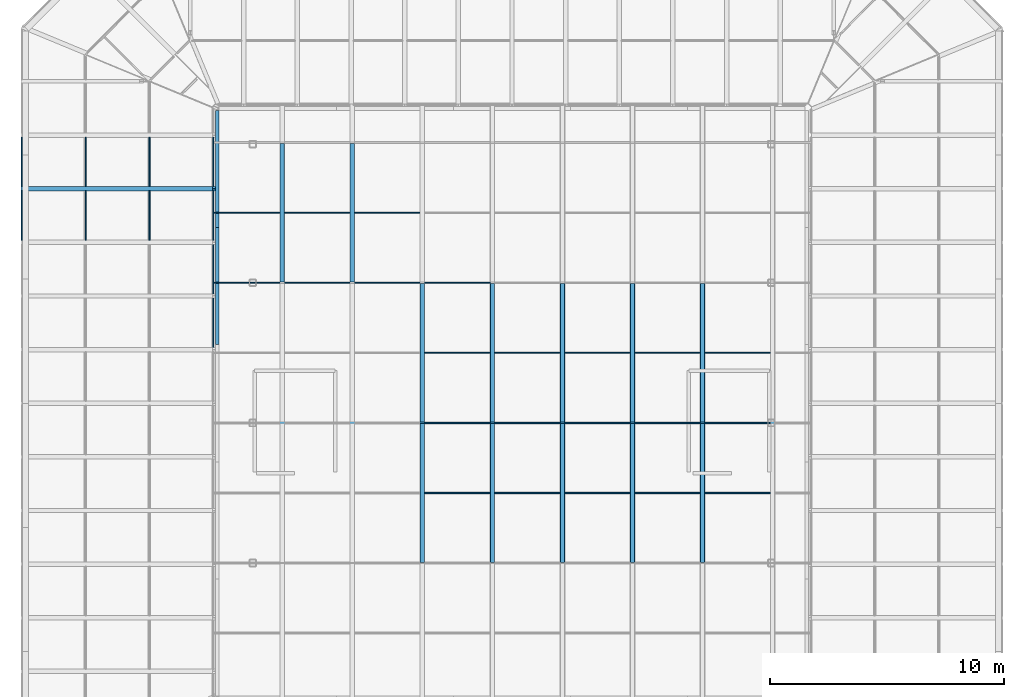
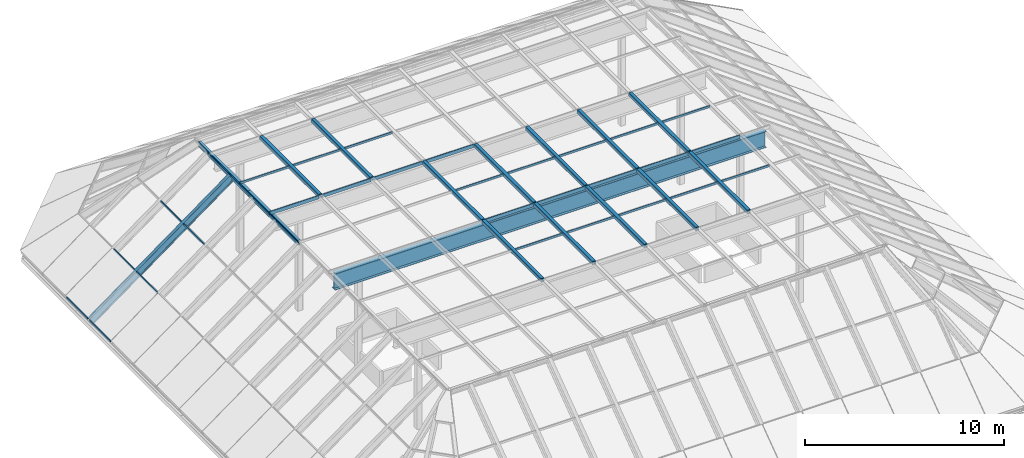
# One storey, part 5 of 15: 60 members, 2 elements without a shape of their own.
"""IFC4 building model written with IfcOpenShell, lengths in metres."""

from ifc_helpers import new_model, si_unit, direction, frame, origin, origin_2d, place, context, subcontext, project, spatial, rectangle, hollow_rectangle, i_section, extrude, material, constituent, constituent_set, material_profile, profile_set, type_object, element, aggregate, save


model = new_model("IFC4")

# Units and contexts
model_context = context("Model", 3, precision=1e-05, world=origin(), true_north=direction((0.0, 1.0)))
body_context = subcontext(model_context, "Body", "Model", "MODEL_VIEW")
ifc_project = project(units=[si_unit("LENGTHUNIT", "METRE"), si_unit("AREAUNIT", "SQUARE_METRE"), si_unit("VOLUMEUNIT", "CUBIC_METRE"), si_unit("PLANEANGLEUNIT", "RADIAN"), si_unit("MASSUNIT", "GRAM", prefix="KILO")], contexts=[model_context])

# Site, building, storey
site_placement = place(None, origin())
site = spatial("IfcSite", under=ifc_project, at=site_placement, CompositionType="ELEMENT")
building_placement = place(site_placement, origin())
building = spatial("IfcBuilding", under=site, at=building_placement, Name="Quoin Convention Tower", CompositionType="ELEMENT")
storey_placement = place(building_placement, frame((0.0, 0.0, 273.699951171875)))
storey = spatial("IfcBuildingStorey", under=building, at=storey_placement, Name="Roof", CompositionType="ELEMENT", Elevation=273.699951171875)

# Member
ifc_material_1 = material(Name="Steel Grade 300", Category="steel")
ifc_material_profile_1 = material_profile(ifc_material_1, i_section(OverallWidth=0.300048828125, OverallDepth=1.0, WebThickness=0.01611328125, FlangeThickness=0.02001953125, at=origin_2d()), Name="1000WB215")
ifc_profile_set_1 = profile_set([ifc_material_profile_1], Name="Steel Grade 300")
member_type_1 = type_object("IfcMemberType", Name="1000WB215 CAP GIRDER", PredefinedType="STRINGER", material=ifc_profile_set_1)
member_1_placement = place(storey_placement, frame((43.7099609375, 59.909912109375, 5.8955078125), z_axis=(1.0, 0.0, 0.0), x_axis=(0.0, 1.0, 0.0)))
element("IfcMember", 1, at=member_1_placement, inside=storey, type_object=member_type_1, Name="LANTERN CAP GIRDER", PredefinedType="STRINGER", context=body_context, shape_type="SweptSolid", body=[
    extrude(i_section(OverallWidth=0.300048828125, OverallDepth=1.0, WebThickness=0.01611328125, FlangeThickness=0.02001953125, at=origin_2d()), origin(), (0.0, 0.0, 1.0), 25.080078125),
])

# Curtain wall, members
ifc_material_2 = material(Name="Aluminium", Category="aluminium")
ifc_constituent_1 = constituent(ifc_material_2, Name="Frame")
ifc_material_3 = material(Name="Insulated glass", Category="glass")
ifc_constituent_2 = constituent(ifc_material_3, Name="Glazing")
ifc_constituent_set = constituent_set(constituents=[ifc_constituent_1, ifc_constituent_2], Name="Aluminium")
curtain_wall_type = type_object("IfcCurtainWallType", Name="Lantern roof system", PredefinedType="NOTDEFINED", material=ifc_constituent_set)
curtain_wall_1_placement = place(storey_placement, origin())
curtain_wall_1 = element("IfcCurtainWall", 2, at=curtain_wall_1_placement, inside=storey, type_object=curtain_wall_type, Name="crn-LNR-CAP", PredefinedType="NOTDEFINED")
ifc_material_4 = material(Name="Steel C450L0", Category="steel")
ifc_material_profile_2 = material_profile(ifc_material_4, hollow_rectangle(XDim=0.199951171875, YDim=0.199951171875, WallThickness=0.010009765625, InnerFilletRadius=0.014892578125, OuterFilletRadius=0.02490234375, at=origin_2d()), Name="200x200x10.0SHS")
ifc_profile_set_2 = profile_set([ifc_material_profile_2], Name="Steel C450L0")
member_type_2 = type_object("IfcMemberType", Name="200x200x10.0SHS LANTERN CAP RAIL", PredefinedType="MULLION", material=ifc_profile_set_2)
member_2_placement = place(storey_placement, frame((46.409912109375, 65.93994140625, 6.495361328125), z_axis=(0.0, 1.0, 0.0), x_axis=(-1.0, 0.0, 0.0)))
member_2 = element("IfcMember", 3, at=member_2_placement, type_object=member_type_2, Name="CW6 cap rail", PredefinedType="MULLION", context=body_context, shape_type="SweptSolid", body=[
    extrude(hollow_rectangle(XDim=0.199951171875, YDim=0.199951171875, WallThickness=0.010009765625, InnerFilletRadius=0.014892578125, OuterFilletRadius=0.02490234375, at=origin_2d()), origin(), (0.0, 0.0, 1.0), 5.93994140625),
])
member_3_placement = place(storey_placement, frame((49.409912109375, 65.93994140625, 6.495361328125), z_axis=(0.0, 1.0, 0.0), x_axis=(-1.0, 0.0, 0.0)))
member_3 = element("IfcMember", 4, at=member_3_placement, type_object=member_type_2, Name="CW6 cap rail", PredefinedType="MULLION", context=body_context, shape_type="SweptSolid", body=[
    extrude(hollow_rectangle(XDim=0.199951171875, YDim=0.199951171875, WallThickness=0.010009765625, InnerFilletRadius=0.014892578125, OuterFilletRadius=0.02490234375, at=origin_2d()), origin(), (0.0, 0.0, 1.0), 5.93994140625),
])
member_4_placement = place(storey_placement, frame((52.409912109375, 53.93994140625, 6.495361328125), z_axis=(0.0, 1.0, 0.0), x_axis=(-1.0, 0.0, 0.0)))
member_4 = element("IfcMember", 5, at=member_4_placement, type_object=member_type_2, Name="CW6 cap rail", PredefinedType="MULLION", context=body_context, shape_type="SweptSolid", body=[
    extrude(hollow_rectangle(XDim=0.199951171875, YDim=0.199951171875, WallThickness=0.010009765625, InnerFilletRadius=0.014892578125, OuterFilletRadius=0.02490234375, at=origin_2d()), origin(), (0.0, 0.0, 1.0), 5.93994140625),
])
member_5_placement = place(storey_placement, frame((52.409912109375, 59.93994140625, 6.495361328125), z_axis=(0.0, 1.0, 0.0), x_axis=(-1.0, 0.0, 0.0)))
member_5 = element("IfcMember", 6, at=member_5_placement, type_object=member_type_2, Name="CW6 cap rail", PredefinedType="MULLION", context=body_context, shape_type="SweptSolid", body=[
    extrude(hollow_rectangle(XDim=0.199951171875, YDim=0.199951171875, WallThickness=0.010009765625, InnerFilletRadius=0.014892578125, OuterFilletRadius=0.02490234375, at=origin_2d()), origin(), (0.0, 0.0, 1.0), 5.93994140625),
])
member_6_placement = place(storey_placement, frame((55.409912109375, 53.93994140625, 6.495361328125), z_axis=(0.0, 1.0, 0.0), x_axis=(-1.0, 0.0, 0.0)))
member_6 = element("IfcMember", 7, at=member_6_placement, type_object=member_type_2, Name="CW6 cap rail", PredefinedType="MULLION", context=body_context, shape_type="SweptSolid", body=[
    extrude(hollow_rectangle(XDim=0.199951171875, YDim=0.199951171875, WallThickness=0.010009765625, InnerFilletRadius=0.014892578125, OuterFilletRadius=0.02490234375, at=origin_2d()), origin(), (0.0, 0.0, 1.0), 5.93994140625),
])
member_7_placement = place(storey_placement, frame((55.409912109375, 59.93994140625, 6.495361328125), z_axis=(0.0, 1.0, 0.0), x_axis=(-1.0, 0.0, 0.0)))
member_7 = element("IfcMember", 8, at=member_7_placement, type_object=member_type_2, Name="CW6 cap rail", PredefinedType="MULLION", context=body_context, shape_type="SweptSolid", body=[
    extrude(hollow_rectangle(XDim=0.199951171875, YDim=0.199951171875, WallThickness=0.010009765625, InnerFilletRadius=0.014892578125, OuterFilletRadius=0.02490234375, at=origin_2d()), origin(), (0.0, 0.0, 1.0), 5.93994140625),
])
member_8_placement = place(storey_placement, frame((58.409912109375, 53.93994140625, 6.495361328125), z_axis=(0.0, 1.0, 0.0), x_axis=(-1.0, 0.0, 0.0)))
member_8 = element("IfcMember", 9, at=member_8_placement, type_object=member_type_2, Name="CW6 cap rail", PredefinedType="MULLION", context=body_context, shape_type="SweptSolid", body=[
    extrude(hollow_rectangle(XDim=0.199951171875, YDim=0.199951171875, WallThickness=0.010009765625, InnerFilletRadius=0.014892578125, OuterFilletRadius=0.02490234375, at=origin_2d()), origin(), (0.0, 0.0, 1.0), 5.93994140625),
])
member_9_placement = place(storey_placement, frame((58.409912109375, 59.93994140625, 6.495361328125), z_axis=(0.0, 1.0, 0.0), x_axis=(-1.0, 0.0, 0.0)))
member_9 = element("IfcMember", 10, at=member_9_placement, type_object=member_type_2, Name="CW6 cap rail", PredefinedType="MULLION", context=body_context, shape_type="SweptSolid", body=[
    extrude(hollow_rectangle(XDim=0.199951171875, YDim=0.199951171875, WallThickness=0.010009765625, InnerFilletRadius=0.014892578125, OuterFilletRadius=0.02490234375, at=origin_2d()), origin(), (0.0, 0.0, 1.0), 5.93994140625),
])
member_10_placement = place(storey_placement, frame((61.409912109375, 53.93994140625, 6.495361328125), z_axis=(0.0, 1.0, 0.0), x_axis=(-1.0, 0.0, 0.0)))
member_10 = element("IfcMember", 11, at=member_10_placement, type_object=member_type_2, Name="CW6 cap rail", PredefinedType="MULLION", context=body_context, shape_type="SweptSolid", body=[
    extrude(hollow_rectangle(XDim=0.199951171875, YDim=0.199951171875, WallThickness=0.010009765625, InnerFilletRadius=0.014892578125, OuterFilletRadius=0.02490234375, at=origin_2d()), origin(), (0.0, 0.0, 1.0), 5.93994140625),
])
member_11_placement = place(storey_placement, frame((61.409912109375, 59.93994140625, 6.495361328125), z_axis=(0.0, 1.0, 0.0), x_axis=(-1.0, 0.0, 0.0)))
member_11 = element("IfcMember", 12, at=member_11_placement, type_object=member_type_2, Name="CW6 cap rail", PredefinedType="MULLION", context=body_context, shape_type="SweptSolid", body=[
    extrude(hollow_rectangle(XDim=0.199951171875, YDim=0.199951171875, WallThickness=0.010009765625, InnerFilletRadius=0.014892578125, OuterFilletRadius=0.02490234375, at=origin_2d()), origin(), (0.0, 0.0, 1.0), 5.93994140625),
])
member_12_placement = place(storey_placement, frame((64.409912109375, 53.93994140625, 6.495361328125), z_axis=(0.0, 1.0, 0.0), x_axis=(-1.0, 0.0, 0.0)))
member_12 = element("IfcMember", 13, at=member_12_placement, type_object=member_type_2, Name="CW6 cap rail", PredefinedType="MULLION", context=body_context, shape_type="SweptSolid", body=[
    extrude(hollow_rectangle(XDim=0.199951171875, YDim=0.199951171875, WallThickness=0.010009765625, InnerFilletRadius=0.014892578125, OuterFilletRadius=0.02490234375, at=origin_2d()), origin(), (0.0, 0.0, 1.0), 5.93994140625),
])
member_13_placement = place(storey_placement, frame((64.409912109375, 59.93994140625, 6.495361328125), z_axis=(0.0, 1.0, 0.0), x_axis=(-1.0, 0.0, 0.0)))
member_13 = element("IfcMember", 14, at=member_13_placement, type_object=member_type_2, Name="CW6 cap rail", PredefinedType="MULLION", context=body_context, shape_type="SweptSolid", body=[
    extrude(hollow_rectangle(XDim=0.199951171875, YDim=0.199951171875, WallThickness=0.010009765625, InnerFilletRadius=0.014892578125, OuterFilletRadius=0.02490234375, at=origin_2d()), origin(), (0.0, 0.0, 1.0), 5.93994140625),
])

# Members
ifc_material_profile_3 = material_profile(ifc_material_1, i_section(OverallWidth=0.166015625, OverallDepth=0.306884765625, WebThickness=0.006591796875, FlangeThickness=0.01171875, FilletRadius=0.011474609375, at=origin_2d()), Name="310UB46.2")
ifc_profile_set_3 = profile_set([ifc_material_profile_3], Name="Steel Grade 300")
member_type_3 = type_object("IfcMemberType", Name="310UB46.2 COMPRESSION RING", PredefinedType="CHORD", material=ifc_profile_set_3)
member_14_placement = place(storey_placement, frame((43.626953125, 73.2900390625, 6.241943359375), z_axis=(0.0, -1.0, 0.0), x_axis=(1.0, 0.0, 0.0)))
element("IfcMember", 15, at=member_14_placement, inside=storey, type_object=member_type_3, Name="LANTERN COMPRESSION RING", PredefinedType="CHORD", context=body_context, shape_type="SweptSolid", body=[
    extrude(i_section(OverallWidth=0.166015625, OverallDepth=0.306884765625, WebThickness=0.006591796875, FlangeThickness=0.01171875, FilletRadius=0.011474609375, at=origin_2d()), origin(), (0.0, 0.0, 1.0), 5.01611328125),
])
member_15_placement = place(storey_placement, frame((43.626953125, 68.27392578125, 6.241943359375), z_axis=(0.0, -1.0, 0.0), x_axis=(1.0, 0.0, 0.0)))
element("IfcMember", 16, at=member_15_placement, inside=storey, type_object=member_type_3, Name="LANTERN COMPRESSION RING", PredefinedType="CHORD", context=body_context, shape_type="SweptSolid", body=[
    extrude(i_section(OverallWidth=0.166015625, OverallDepth=0.306884765625, WebThickness=0.006591796875, FlangeThickness=0.01171875, FilletRadius=0.011474609375, at=origin_2d()), origin(), (0.0, 0.0, 1.0), 5.015869140625),
])

# Curtain wall, member
curtain_wall_2_placement = place(storey_placement, origin())
curtain_wall_2 = element("IfcCurtainWall", 17, at=curtain_wall_2_placement, inside=storey, type_object=curtain_wall_type, Name="crn-LNR-F35210_76827", PredefinedType="NOTDEFINED")
ifc_material_profile_4 = material_profile(ifc_material_1, i_section(OverallWidth=0.18994140625, OverallDepth=0.4541015625, WebThickness=0.008544921875, FlangeThickness=0.0126953125, FilletRadius=0.011474609375, at=origin_2d()), Name="460UB67.1")
ifc_profile_set_4 = profile_set([ifc_material_profile_4], Name="Steel Grade 300")
member_type_4 = type_object("IfcMemberType", Name="460UB67.1 LANTERN RAFTER", PredefinedType="MULLION", material=ifc_profile_set_4)
member_16_placement = place(storey_placement, frame((35.360595703125, 69.93701171875, 0.26953125), z_axis=(0.807028649932, 0.0, 0.590512284537), x_axis=(0.0, 1.0, 0.0)))
member_16 = element("IfcMember", 18, at=member_16_placement, type_object=member_type_4, Name="CW6 steel rafter", PredefinedType="MULLION", context=body_context, shape_type="SweptSolid", body=[
    extrude(i_section(OverallWidth=0.18994140625, OverallDepth=0.4541015625, WebThickness=0.008544921875, FlangeThickness=0.0126953125, FilletRadius=0.011474609375, at=origin_2d()), origin(), (0.0, 0.0, 1.0), 10.16064453125),
])

# Member
ifc_material_profile_5 = material_profile(ifc_material_2, rectangle(XDim=0.028076171875, YDim=0.179931640625, at=origin_2d()), Name="Lantern roof cap cover bar 180x28")
ifc_profile_set_5 = profile_set([ifc_material_profile_5], Name="Aluminium")
member_type_5 = type_object("IfcMemberType", Name="Lantern roof cap cover bar 180x28", PredefinedType="USERDEFINED", material=ifc_profile_set_5)
member_17_placement = place(storey_placement, frame((46.409912109375, 65.93994140625, 6.609375), z_axis=(0.0, 1.0, 0.0), x_axis=(0.0, 0.0, 1.0)))
member_17 = element("IfcMember", 19, at=member_17_placement, type_object=member_type_5, Name="CW6 cap cover bar", ObjectType="CAP COVER", PredefinedType="USERDEFINED", context=body_context, shape_type="SweptSolid", body=[
    extrude(rectangle(XDim=0.028076171875, YDim=0.179931640625, at=origin_2d()), origin(), (0.0, 0.0, 1.0), 5.93994140625),
])

member_18_placement = place(storey_placement, frame((49.409912109375, 65.93994140625, 6.609375), z_axis=(0.0, 1.0, 0.0), x_axis=(0.0, 0.0, 1.0)))
member_18 = element("IfcMember", 20, at=member_18_placement, type_object=member_type_5, Name="CW6 cap cover bar", ObjectType="CAP COVER", PredefinedType="USERDEFINED", context=body_context, shape_type="SweptSolid", body=[
    extrude(rectangle(XDim=0.028076171875, YDim=0.179931640625, at=origin_2d()), origin(), (0.0, 0.0, 1.0), 5.93994140625),
])

member_19_placement = place(storey_placement, frame((52.409912109375, 53.93994140625, 6.609375), z_axis=(0.0, 1.0, 0.0), x_axis=(0.0, 0.0, 1.0)))
member_19 = element("IfcMember", 21, at=member_19_placement, type_object=member_type_5, Name="CW6 cap cover bar", ObjectType="CAP COVER", PredefinedType="USERDEFINED", context=body_context, shape_type="SweptSolid", body=[
    extrude(rectangle(XDim=0.028076171875, YDim=0.179931640625, at=origin_2d()), origin(), (0.0, 0.0, 1.0), 5.93994140625),
])

member_20_placement = place(storey_placement, frame((52.409912109375, 59.93994140625, 6.609375), z_axis=(0.0, 1.0, 0.0), x_axis=(0.0, 0.0, 1.0)))
member_20 = element("IfcMember", 22, at=member_20_placement, type_object=member_type_5, Name="CW6 cap cover bar", ObjectType="CAP COVER", PredefinedType="USERDEFINED", context=body_context, shape_type="SweptSolid", body=[
    extrude(rectangle(XDim=0.028076171875, YDim=0.179931640625, at=origin_2d()), origin(), (0.0, 0.0, 1.0), 5.93994140625),
])

member_21_placement = place(storey_placement, frame((55.409912109375, 53.93994140625, 6.609375), z_axis=(0.0, 1.0, 0.0), x_axis=(0.0, 0.0, 1.0)))
member_21 = element("IfcMember", 23, at=member_21_placement, type_object=member_type_5, Name="CW6 cap cover bar", ObjectType="CAP COVER", PredefinedType="USERDEFINED", context=body_context, shape_type="SweptSolid", body=[
    extrude(rectangle(XDim=0.028076171875, YDim=0.179931640625, at=origin_2d()), origin(), (0.0, 0.0, 1.0), 5.93994140625),
])

member_22_placement = place(storey_placement, frame((55.409912109375, 59.93994140625, 6.609375), z_axis=(0.0, 1.0, 0.0), x_axis=(0.0, 0.0, 1.0)))
member_22 = element("IfcMember", 24, at=member_22_placement, type_object=member_type_5, Name="CW6 cap cover bar", ObjectType="CAP COVER", PredefinedType="USERDEFINED", context=body_context, shape_type="SweptSolid", body=[
    extrude(rectangle(XDim=0.028076171875, YDim=0.179931640625, at=origin_2d()), origin(), (0.0, 0.0, 1.0), 5.93994140625),
])

member_23_placement = place(storey_placement, frame((58.409912109375, 53.93994140625, 6.609375), z_axis=(0.0, 1.0, 0.0), x_axis=(0.0, 0.0, 1.0)))
member_23 = element("IfcMember", 25, at=member_23_placement, type_object=member_type_5, Name="CW6 cap cover bar", ObjectType="CAP COVER", PredefinedType="USERDEFINED", context=body_context, shape_type="SweptSolid", body=[
    extrude(rectangle(XDim=0.028076171875, YDim=0.179931640625, at=origin_2d()), origin(), (0.0, 0.0, 1.0), 5.93994140625),
])

member_24_placement = place(storey_placement, frame((58.409912109375, 59.93994140625, 6.609375), z_axis=(0.0, 1.0, 0.0), x_axis=(0.0, 0.0, 1.0)))
member_24 = element("IfcMember", 26, at=member_24_placement, type_object=member_type_5, Name="CW6 cap cover bar", ObjectType="CAP COVER", PredefinedType="USERDEFINED", context=body_context, shape_type="SweptSolid", body=[
    extrude(rectangle(XDim=0.028076171875, YDim=0.179931640625, at=origin_2d()), origin(), (0.0, 0.0, 1.0), 5.93994140625),
])

member_25_placement = place(storey_placement, frame((61.409912109375, 53.93994140625, 6.609375), z_axis=(0.0, 1.0, 0.0), x_axis=(0.0, 0.0, 1.0)))
member_25 = element("IfcMember", 27, at=member_25_placement, type_object=member_type_5, Name="CW6 cap cover bar", ObjectType="CAP COVER", PredefinedType="USERDEFINED", context=body_context, shape_type="SweptSolid", body=[
    extrude(rectangle(XDim=0.028076171875, YDim=0.179931640625, at=origin_2d()), origin(), (0.0, 0.0, 1.0), 5.93994140625),
])

member_26_placement = place(storey_placement, frame((61.409912109375, 59.93994140625, 6.609375), z_axis=(0.0, 1.0, 0.0), x_axis=(0.0, 0.0, 1.0)))
member_26 = element("IfcMember", 28, at=member_26_placement, type_object=member_type_5, Name="CW6 cap cover bar", ObjectType="CAP COVER", PredefinedType="USERDEFINED", context=body_context, shape_type="SweptSolid", body=[
    extrude(rectangle(XDim=0.028076171875, YDim=0.179931640625, at=origin_2d()), origin(), (0.0, 0.0, 1.0), 5.93994140625),
])

member_27_placement = place(storey_placement, frame((64.409912109375, 53.93994140625, 6.609375), z_axis=(0.0, 1.0, 0.0), x_axis=(0.0, 0.0, 1.0)))
member_27 = element("IfcMember", 29, at=member_27_placement, type_object=member_type_5, Name="CW6 cap cover bar", ObjectType="CAP COVER", PredefinedType="USERDEFINED", context=body_context, shape_type="SweptSolid", body=[
    extrude(rectangle(XDim=0.028076171875, YDim=0.179931640625, at=origin_2d()), origin(), (0.0, 0.0, 1.0), 5.93994140625),
])

member_28_placement = place(storey_placement, frame((64.409912109375, 59.93994140625, 6.609375), z_axis=(0.0, 1.0, 0.0), x_axis=(0.0, 0.0, 1.0)))
member_28 = element("IfcMember", 30, at=member_28_placement, type_object=member_type_5, Name="CW6 cap cover bar", ObjectType="CAP COVER", PredefinedType="USERDEFINED", context=body_context, shape_type="SweptSolid", body=[
    extrude(rectangle(XDim=0.028076171875, YDim=0.179931640625, at=origin_2d()), origin(), (0.0, 0.0, 1.0), 5.93994140625),
])

ifc_material_profile_6 = material_profile(ifc_material_2, rectangle(XDim=0.199951171875, YDim=0.06005859375, at=origin_2d()), Name="Lantern roof mullion 60x200")
ifc_profile_set_6 = profile_set([ifc_material_profile_6], Name="Aluminium")
member_type_6 = type_object("IfcMemberType", Name="Lantern roof mullion 60x200", PredefinedType="MULLION", material=ifc_profile_set_6)
member_29_placement = place(storey_placement, frame((52.510009765625, 59.909912109375, 6.495361328125), z_axis=(1.0, 0.0, 0.0), x_axis=(0.0, 0.0, 1.0)))
member_29 = element("IfcMember", 31, at=member_29_placement, type_object=member_type_6, Name="CW6 cap beam", PredefinedType="MULLION", context=body_context, shape_type="SweptSolid", body=[
    extrude(rectangle(XDim=0.199951171875, YDim=0.06005859375, at=origin_2d()), origin(), (0.0, 0.0, 1.0), 2.800048828125),
])

member_30_placement = place(storey_placement, frame((55.510009765625, 59.909912109375, 6.495361328125), z_axis=(1.0, 0.0, 0.0), x_axis=(0.0, 0.0, 1.0)))
member_30 = element("IfcMember", 32, at=member_30_placement, type_object=member_type_6, Name="CW6 cap beam", PredefinedType="MULLION", context=body_context, shape_type="SweptSolid", body=[
    extrude(rectangle(XDim=0.199951171875, YDim=0.06005859375, at=origin_2d()), origin(), (0.0, 0.0, 1.0), 2.800048828125),
])

member_31_placement = place(storey_placement, frame((58.510009765625, 59.909912109375, 6.495361328125), z_axis=(1.0, 0.0, 0.0), x_axis=(0.0, 0.0, 1.0)))
member_31 = element("IfcMember", 33, at=member_31_placement, type_object=member_type_6, Name="CW6 cap beam", PredefinedType="MULLION", context=body_context, shape_type="SweptSolid", body=[
    extrude(rectangle(XDim=0.199951171875, YDim=0.06005859375, at=origin_2d()), origin(), (0.0, 0.0, 1.0), 2.800048828125),
])

member_32_placement = place(storey_placement, frame((61.510009765625, 59.909912109375, 6.495361328125), z_axis=(1.0, 0.0, 0.0), x_axis=(0.0, 0.0, 1.0)))
member_32 = element("IfcMember", 34, at=member_32_placement, type_object=member_type_6, Name="CW6 cap beam", PredefinedType="MULLION", context=body_context, shape_type="SweptSolid", body=[
    extrude(rectangle(XDim=0.199951171875, YDim=0.06005859375, at=origin_2d()), origin(), (0.0, 0.0, 1.0), 2.800048828125),
])

member_33_placement = place(storey_placement, frame((64.510009765625, 59.909912109375, 6.495361328125), z_axis=(1.0, 0.0, 0.0), x_axis=(0.0, 0.0, 1.0)))
member_33 = element("IfcMember", 35, at=member_33_placement, type_object=member_type_6, Name="CW6 cap beam", PredefinedType="MULLION", context=body_context, shape_type="SweptSolid", body=[
    extrude(rectangle(XDim=0.199951171875, YDim=0.06005859375, at=origin_2d()), origin(), (0.0, 0.0, 1.0), 2.800048828125),
])

member_34_placement = place(storey_placement, frame((43.426513671875, 65.909912109375, 6.495361328125), z_axis=(1.0, 0.0, 0.0), x_axis=(0.0, 0.0, 1.0)))
member_34 = element("IfcMember", 36, at=member_34_placement, type_object=member_type_6, Name="CW6 cap beam", PredefinedType="MULLION", context=body_context, shape_type="SweptSolid", body=[
    extrude(rectangle(XDim=0.199951171875, YDim=0.06005859375, at=origin_2d()), origin(), (0.0, 0.0, 1.0), 2.883544921875),
])

member_35_placement = place(storey_placement, frame((46.510009765625, 65.909912109375, 6.495361328125), z_axis=(1.0, 0.0, 0.0), x_axis=(0.0, 0.0, 1.0)))
member_35 = element("IfcMember", 37, at=member_35_placement, type_object=member_type_6, Name="CW6 cap beam", PredefinedType="MULLION", context=body_context, shape_type="SweptSolid", body=[
    extrude(rectangle(XDim=0.199951171875, YDim=0.06005859375, at=origin_2d()), origin(), (0.0, 0.0, 1.0), 2.800048828125),
])

member_36_placement = place(storey_placement, frame((49.510009765625, 65.909912109375, 6.495361328125), z_axis=(1.0, 0.0, 0.0), x_axis=(0.0, 0.0, 1.0)))
member_36 = element("IfcMember", 38, at=member_36_placement, type_object=member_type_6, Name="CW6 cap beam", PredefinedType="MULLION", context=body_context, shape_type="SweptSolid", body=[
    extrude(rectangle(XDim=0.199951171875, YDim=0.06005859375, at=origin_2d()), origin(), (0.0, 0.0, 1.0), 2.800048828125),
])

member_37_placement = place(storey_placement, frame((52.510009765625, 65.909912109375, 6.495361328125), z_axis=(1.0, 0.0, 0.0), x_axis=(0.0, 0.0, 1.0)))
member_37 = element("IfcMember", 39, at=member_37_placement, type_object=member_type_6, Name="CW6 cap beam", PredefinedType="MULLION", context=body_context, shape_type="SweptSolid", body=[
    extrude(rectangle(XDim=0.199951171875, YDim=0.06005859375, at=origin_2d()), origin(), (0.0, 0.0, 1.0), 2.800048828125),
])

ifc_material_profile_7 = material_profile(ifc_material_2, rectangle(XDim=0.1201171875, YDim=0.050048828125, at=origin_2d()), Name="Lantern roof transom 50x120")
ifc_profile_set_7 = profile_set([ifc_material_profile_7], Name="Aluminium")
member_type_7 = type_object("IfcMemberType", Name="Lantern roof transom 50x120", PredefinedType="USERDEFINED", material=ifc_profile_set_7)
member_38_placement = place(storey_placement, frame((35.261962890625, 72.138671875, 0.404541015625), z_axis=(0.0, -1.0, 0.0), x_axis=(0.0, 0.0, 1.0)))
member_38 = element("IfcMember", 40, at=member_38_placement, type_object=member_type_7, Name="CW6 transom", ObjectType="TRANSOM", PredefinedType="USERDEFINED", context=body_context, shape_type="SweptSolid", body=[
    extrude(rectangle(XDim=0.1201171875, YDim=0.050048828125, at=origin_2d()), origin(), (0.0, 0.0, 1.0), 2.106689453125),
])

member_39_placement = place(storey_placement, frame((35.261962890625, 69.842041015625, 0.404541015625), z_axis=(0.0, -1.0, 0.0), x_axis=(0.0, 0.0, 1.0)))
member_39 = element("IfcMember", 41, at=member_39_placement, type_object=member_type_7, Name="CW6 transom", ObjectType="TRANSOM", PredefinedType="USERDEFINED", context=body_context, shape_type="SweptSolid", body=[
    extrude(rectangle(XDim=0.1201171875, YDim=0.050048828125, at=origin_2d()), origin(), (0.0, 0.0, 1.0), 2.10693359375),
])

member_40_placement = place(storey_placement, frame((37.995361328125, 72.138671875, 2.404541015625), z_axis=(0.0, -1.0, 0.0), x_axis=(0.0, 0.0, 1.0)))
member_40 = element("IfcMember", 42, at=member_40_placement, type_object=member_type_7, Name="CW6 transom", ObjectType="TRANSOM", PredefinedType="USERDEFINED", context=body_context, shape_type="SweptSolid", body=[
    extrude(rectangle(XDim=0.1201171875, YDim=0.050048828125, at=origin_2d()), origin(), (0.0, 0.0, 1.0), 2.106689453125),
])

member_41_placement = place(storey_placement, frame((37.995361328125, 69.842041015625, 2.404541015625), z_axis=(0.0, -1.0, 0.0), x_axis=(0.0, 0.0, 1.0)))
member_41 = element("IfcMember", 43, at=member_41_placement, type_object=member_type_7, Name="CW6 transom", ObjectType="TRANSOM", PredefinedType="USERDEFINED", context=body_context, shape_type="SweptSolid", body=[
    extrude(rectangle(XDim=0.1201171875, YDim=0.050048828125, at=origin_2d()), origin(), (0.0, 0.0, 1.0), 2.10693359375),
])

member_42_placement = place(storey_placement, frame((40.728515625, 72.138671875, 4.404541015625), z_axis=(0.0, -1.0, 0.0), x_axis=(0.0, 0.0, 1.0)))
member_42 = element("IfcMember", 44, at=member_42_placement, type_object=member_type_7, Name="CW6 transom", ObjectType="TRANSOM", PredefinedType="USERDEFINED", context=body_context, shape_type="SweptSolid", body=[
    extrude(rectangle(XDim=0.1201171875, YDim=0.050048828125, at=origin_2d()), origin(), (0.0, 0.0, 1.0), 2.106689453125),
])

member_43_placement = place(storey_placement, frame((40.728515625, 69.842041015625, 4.404541015625), z_axis=(0.0, -1.0, 0.0), x_axis=(0.0, 0.0, 1.0)))
member_43 = element("IfcMember", 45, at=member_43_placement, type_object=member_type_7, Name="CW6 transom", ObjectType="TRANSOM", PredefinedType="USERDEFINED", context=body_context, shape_type="SweptSolid", body=[
    extrude(rectangle(XDim=0.1201171875, YDim=0.050048828125, at=origin_2d()), origin(), (0.0, 0.0, 1.0), 2.10693359375),
])

member_44_placement = place(storey_placement, frame((43.4619140625, 72.138671875, 6.404541015625), z_axis=(0.0, -1.0, 0.0), x_axis=(0.0, 0.0, 1.0)))
member_44 = element("IfcMember", 46, at=member_44_placement, type_object=member_type_7, Name="CW6 transom", ObjectType="TRANSOM", PredefinedType="USERDEFINED", context=body_context, shape_type="SweptSolid", body=[
    extrude(rectangle(XDim=0.1201171875, YDim=0.050048828125, at=origin_2d()), origin(), (0.0, 0.0, 1.0), 2.106689453125),
])

member_45_placement = place(storey_placement, frame((43.4619140625, 69.842041015625, 6.404541015625), z_axis=(0.0, -1.0, 0.0), x_axis=(0.0, 0.0, 1.0)))
member_45 = element("IfcMember", 47, at=member_45_placement, type_object=member_type_7, Name="CW6 transom", ObjectType="TRANSOM", PredefinedType="USERDEFINED", context=body_context, shape_type="SweptSolid", body=[
    extrude(rectangle(XDim=0.1201171875, YDim=0.050048828125, at=origin_2d()), origin(), (0.0, 0.0, 1.0), 2.10693359375),
])

member_46_placement = place(storey_placement, frame((43.4619140625, 67.545166015625, 6.404541015625), z_axis=(0.0, -1.0, 0.0), x_axis=(0.0, 0.0, 1.0)))
member_46 = element("IfcMember", 48, at=member_46_placement, type_object=member_type_7, Name="CW6 transom", ObjectType="TRANSOM", PredefinedType="USERDEFINED", context=body_context, shape_type="SweptSolid", body=[
    extrude(rectangle(XDim=0.1201171875, YDim=0.050048828125, at=origin_2d()), origin(), (0.0, 0.0, 1.0), 2.106689453125),
])

member_47_placement = place(storey_placement, frame((43.4619140625, 65.24853515625, 6.404541015625), z_axis=(0.0, -1.0, 0.0), x_axis=(0.0, 0.0, 1.0)))
member_47 = element("IfcMember", 49, at=member_47_placement, type_object=member_type_7, Name="CW6 transom", ObjectType="TRANSOM", PredefinedType="USERDEFINED", context=body_context, shape_type="SweptSolid", body=[
    extrude(rectangle(XDim=0.1201171875, YDim=0.050048828125, at=origin_2d()), origin(), (0.0, 0.0, 1.0), 2.10693359375),
])

aggregate(curtain_wall_2, [member_16, member_38, member_39, member_40, member_41, member_42, member_43, member_44, member_45, member_46, member_47])

member_48_placement = place(storey_placement, frame((52.510009765625, 56.909912109375, 6.535400390625), z_axis=(1.0, 0.0, 0.0), x_axis=(0.0, 0.0, 1.0)))
member_48 = element("IfcMember", 50, at=member_48_placement, type_object=member_type_7, Name="CW6 cap transom", ObjectType="TRANSOM", PredefinedType="USERDEFINED", context=body_context, shape_type="SweptSolid", body=[
    extrude(rectangle(XDim=0.1201171875, YDim=0.050048828125, at=origin_2d()), origin(), (0.0, 0.0, 1.0), 2.800048828125),
])

member_49_placement = place(storey_placement, frame((55.510009765625, 56.909912109375, 6.535400390625), z_axis=(1.0, 0.0, 0.0), x_axis=(0.0, 0.0, 1.0)))
member_49 = element("IfcMember", 51, at=member_49_placement, type_object=member_type_7, Name="CW6 cap transom", ObjectType="TRANSOM", PredefinedType="USERDEFINED", context=body_context, shape_type="SweptSolid", body=[
    extrude(rectangle(XDim=0.1201171875, YDim=0.050048828125, at=origin_2d()), origin(), (0.0, 0.0, 1.0), 2.800048828125),
])

member_50_placement = place(storey_placement, frame((58.510009765625, 56.909912109375, 6.535400390625), z_axis=(1.0, 0.0, 0.0), x_axis=(0.0, 0.0, 1.0)))
member_50 = element("IfcMember", 52, at=member_50_placement, type_object=member_type_7, Name="CW6 cap transom", ObjectType="TRANSOM", PredefinedType="USERDEFINED", context=body_context, shape_type="SweptSolid", body=[
    extrude(rectangle(XDim=0.1201171875, YDim=0.050048828125, at=origin_2d()), origin(), (0.0, 0.0, 1.0), 2.800048828125),
])

member_51_placement = place(storey_placement, frame((61.510009765625, 56.909912109375, 6.535400390625), z_axis=(1.0, 0.0, 0.0), x_axis=(0.0, 0.0, 1.0)))
member_51 = element("IfcMember", 53, at=member_51_placement, type_object=member_type_7, Name="CW6 cap transom", ObjectType="TRANSOM", PredefinedType="USERDEFINED", context=body_context, shape_type="SweptSolid", body=[
    extrude(rectangle(XDim=0.1201171875, YDim=0.050048828125, at=origin_2d()), origin(), (0.0, 0.0, 1.0), 2.800048828125),
])

member_52_placement = place(storey_placement, frame((64.510009765625, 56.909912109375, 6.535400390625), z_axis=(1.0, 0.0, 0.0), x_axis=(0.0, 0.0, 1.0)))
member_52 = element("IfcMember", 54, at=member_52_placement, type_object=member_type_7, Name="CW6 cap transom", ObjectType="TRANSOM", PredefinedType="USERDEFINED", context=body_context, shape_type="SweptSolid", body=[
    extrude(rectangle(XDim=0.1201171875, YDim=0.050048828125, at=origin_2d()), origin(), (0.0, 0.0, 1.0), 2.800048828125),
])

member_53_placement = place(storey_placement, frame((52.510009765625, 62.909912109375, 6.535400390625), z_axis=(1.0, 0.0, 0.0), x_axis=(0.0, 0.0, 1.0)))
member_53 = element("IfcMember", 55, at=member_53_placement, type_object=member_type_7, Name="CW6 cap transom", ObjectType="TRANSOM", PredefinedType="USERDEFINED", context=body_context, shape_type="SweptSolid", body=[
    extrude(rectangle(XDim=0.1201171875, YDim=0.050048828125, at=origin_2d()), origin(), (0.0, 0.0, 1.0), 2.800048828125),
])

member_54_placement = place(storey_placement, frame((55.510009765625, 62.909912109375, 6.535400390625), z_axis=(1.0, 0.0, 0.0), x_axis=(0.0, 0.0, 1.0)))
member_54 = element("IfcMember", 56, at=member_54_placement, type_object=member_type_7, Name="CW6 cap transom", ObjectType="TRANSOM", PredefinedType="USERDEFINED", context=body_context, shape_type="SweptSolid", body=[
    extrude(rectangle(XDim=0.1201171875, YDim=0.050048828125, at=origin_2d()), origin(), (0.0, 0.0, 1.0), 2.800048828125),
])

member_55_placement = place(storey_placement, frame((58.510009765625, 62.909912109375, 6.535400390625), z_axis=(1.0, 0.0, 0.0), x_axis=(0.0, 0.0, 1.0)))
member_55 = element("IfcMember", 57, at=member_55_placement, type_object=member_type_7, Name="CW6 cap transom", ObjectType="TRANSOM", PredefinedType="USERDEFINED", context=body_context, shape_type="SweptSolid", body=[
    extrude(rectangle(XDim=0.1201171875, YDim=0.050048828125, at=origin_2d()), origin(), (0.0, 0.0, 1.0), 2.800048828125),
])

member_56_placement = place(storey_placement, frame((61.510009765625, 62.909912109375, 6.535400390625), z_axis=(1.0, 0.0, 0.0), x_axis=(0.0, 0.0, 1.0)))
member_56 = element("IfcMember", 58, at=member_56_placement, type_object=member_type_7, Name="CW6 cap transom", ObjectType="TRANSOM", PredefinedType="USERDEFINED", context=body_context, shape_type="SweptSolid", body=[
    extrude(rectangle(XDim=0.1201171875, YDim=0.050048828125, at=origin_2d()), origin(), (0.0, 0.0, 1.0), 2.800048828125),
])

member_57_placement = place(storey_placement, frame((64.510009765625, 62.909912109375, 6.535400390625), z_axis=(1.0, 0.0, 0.0), x_axis=(0.0, 0.0, 1.0)))
member_57 = element("IfcMember", 59, at=member_57_placement, type_object=member_type_7, Name="CW6 cap transom", ObjectType="TRANSOM", PredefinedType="USERDEFINED", context=body_context, shape_type="SweptSolid", body=[
    extrude(rectangle(XDim=0.1201171875, YDim=0.050048828125, at=origin_2d()), origin(), (0.0, 0.0, 1.0), 2.800048828125),
])

member_58_placement = place(storey_placement, frame((43.426513671875, 68.909912109375, 6.535400390625), z_axis=(1.0, 0.0, 0.0), x_axis=(0.0, 0.0, 1.0)))
member_58 = element("IfcMember", 60, at=member_58_placement, type_object=member_type_7, Name="CW6 cap transom", ObjectType="TRANSOM", PredefinedType="USERDEFINED", context=body_context, shape_type="SweptSolid", body=[
    extrude(rectangle(XDim=0.1201171875, YDim=0.050048828125, at=origin_2d()), origin(), (0.0, 0.0, 1.0), 2.883544921875),
])

member_59_placement = place(storey_placement, frame((46.510009765625, 68.909912109375, 6.535400390625), z_axis=(1.0, 0.0, 0.0), x_axis=(0.0, 0.0, 1.0)))
member_59 = element("IfcMember", 61, at=member_59_placement, type_object=member_type_7, Name="CW6 cap transom", ObjectType="TRANSOM", PredefinedType="USERDEFINED", context=body_context, shape_type="SweptSolid", body=[
    extrude(rectangle(XDim=0.1201171875, YDim=0.050048828125, at=origin_2d()), origin(), (0.0, 0.0, 1.0), 2.800048828125),
])

member_60_placement = place(storey_placement, frame((49.510009765625, 68.909912109375, 6.535400390625), z_axis=(1.0, 0.0, 0.0), x_axis=(0.0, 0.0, 1.0)))
member_60 = element("IfcMember", 62, at=member_60_placement, type_object=member_type_7, Name="CW6 cap transom", ObjectType="TRANSOM", PredefinedType="USERDEFINED", context=body_context, shape_type="SweptSolid", body=[
    extrude(rectangle(XDim=0.1201171875, YDim=0.050048828125, at=origin_2d()), origin(), (0.0, 0.0, 1.0), 2.800048828125),
])

aggregate(curtain_wall_1, [member_48, member_49, member_50, member_51, member_52, member_29, member_30, member_31, member_32, member_33, member_53, member_54, member_55, member_56, member_57, member_34, member_35, member_36, member_37, member_58, member_59, member_60, member_2, member_3, member_4, member_5, member_6, member_7, member_8, member_9, member_10, member_11, member_12, member_13, member_17, member_18, member_19, member_20, member_21, member_22, member_23, member_24, member_25, member_26, member_27, member_28])

save(model, "model.ifc")
